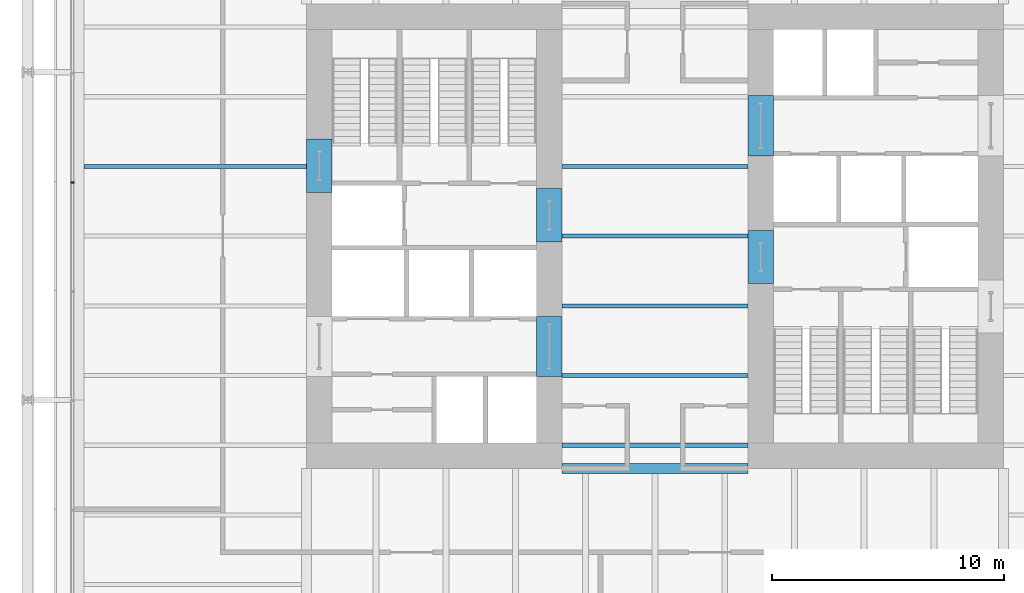
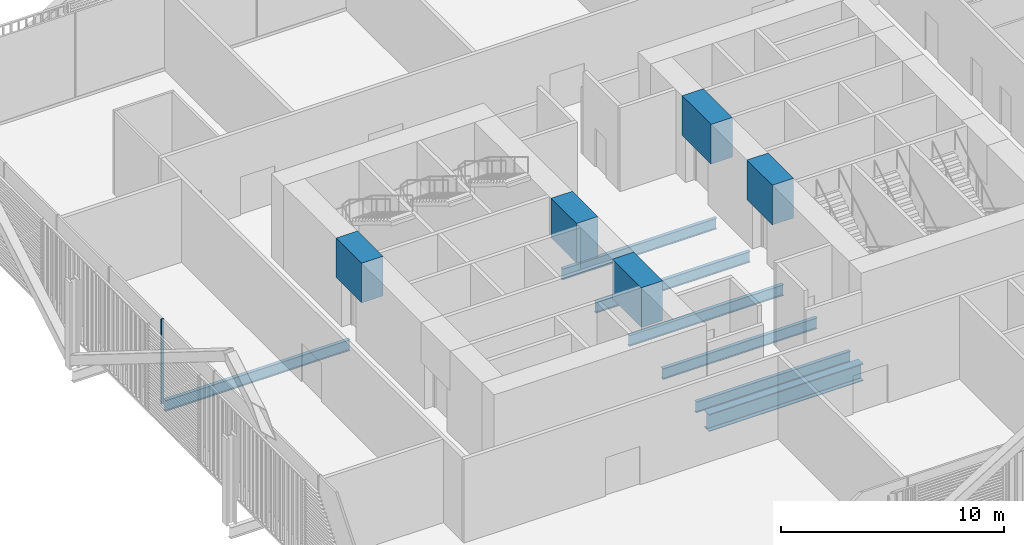
# One storey, part 7 of 22: 12 beams, 1 member, 1 element without a shape of its own.
"""IFC4 building model written with IfcOpenShell, lengths in metres."""

from ifc_helpers import new_model, si_unit, direction, frame, origin, origin_2d, place, context, subcontext, project, spatial, rectangle, i_section, extrude, material, layer, layer_set, material_profile, profile_set, type_object, element, aggregate, save


model = new_model("IFC4")

# Units and contexts
model_context = context("Model", 3, precision=1e-05, world=origin(), true_north=direction((0.0, 1.0)))
body_context = subcontext(model_context, "Body", "Model", "MODEL_VIEW")
ifc_project = project(units=[si_unit("LENGTHUNIT", "METRE"), si_unit("AREAUNIT", "SQUARE_METRE"), si_unit("VOLUMEUNIT", "CUBIC_METRE"), si_unit("PLANEANGLEUNIT", "RADIAN"), si_unit("MASSUNIT", "GRAM", prefix="KILO")], contexts=[model_context])

# Site, building, storey
site_placement = place(None, origin())
site = spatial("IfcSite", under=ifc_project, at=site_placement, CompositionType="ELEMENT")
building_placement = place(site_placement, origin())
building = spatial("IfcBuilding", under=site, at=building_placement, Name="Millrace Tower", CompositionType="ELEMENT")
storey_placement = place(building_placement, frame((0.0, 0.0, 35.300048828125)))
storey = spatial("IfcBuildingStorey", under=building, at=storey_placement, Name="L08", CompositionType="ELEMENT", Elevation=35.300048828125)

# Curtain wall, member
ifc_material_1 = material(Name="Aluminium and glass", Category="aluminium")
ifc_layer = layer(ifc_material_1, 0.14990234375)
ifc_layer_set = layer_set([ifc_layer], Name="Aluminium and glass")
curtain_wall_type = type_object("IfcCurtainWallType", Name="CW-2 data hall insulated curtain wall", PredefinedType="NOTDEFINED", material=ifc_layer_set)
curtain_wall_placement = place(storey_placement, origin())
curtain_wall = element("IfcCurtainWall", 1, at=curtain_wall_placement, inside=storey, type_object=curtain_wall_type, Name="Curtain wall A-F08 L08", PredefinedType="NOTDEFINED")
ifc_material_2 = material(Name="Aluminium", Category="aluminium")
ifc_material_profile_1 = material_profile(ifc_material_2, rectangle(XDim=0.06494140625, YDim=0.14990234375, at=origin_2d()))
ifc_profile_set_1 = profile_set([ifc_material_profile_1], Name="Aluminium")
member_type = type_object("IfcMemberType", Name="CW-2 data hall insulated curtain wall mullion", PredefinedType="MULLION", material=ifc_profile_set_1)
member_placement = place(storey_placement, frame((-25.074951171875, 2.3173828125, 0.159912109375), z_axis=(0.0, 0.0, 1.0), x_axis=(0.0, -1.0, 0.0)))
member = element("IfcMember", 2, at=member_placement, type_object=member_type, Name="CW2 mullion A-F08.5", PredefinedType="MULLION", context=body_context, shape_type="SweptSolid", body=[
    extrude(rectangle(XDim=0.06494140625, YDim=0.14990234375, at=origin_2d()), origin(), (0.0, 0.0, 1.0), 4.64013671875),
])
aggregate(curtain_wall, [member])

# Beams
ifc_material_3 = material(Name="Concrete C80", Category="concrete")
ifc_material_profile_2 = material_profile(ifc_material_3, rectangle(XDim=1.10009765625, YDim=2.175048828125, at=origin_2d()))
ifc_profile_set_2 = profile_set([ifc_material_profile_2], Name="Concrete C80")
beam_type_1 = type_object("IfcBeamType", Name="Coupling beam 1100 x 2175 Concrete C80, 1300 opening", PredefinedType="BEAM", material=ifc_profile_set_2)
beam_1_placement = place(storey_placement, frame((-14.449951171875, 1.88818359375, 3.487548828125), z_axis=(0.0, 1.0, 0.0), x_axis=(-1.0, 0.0, 0.0)))
element("IfcBeam", 3, at=beam_1_placement, inside=storey, type_object=beam_type_1, Name="Coupling beam W L08", PredefinedType="BEAM", context=body_context, shape_type="SweptSolid", body=[
    extrude(rectangle(XDim=1.10009765625, YDim=2.175048828125, at=origin_2d()), origin(), (0.0, 0.0, 1.0), 2.28369140625),
])
for number, where, z_axis, x_axis, name in (
    (4, (-4.550048828125, -0.241943359375, 3.487548828125), (0.0, 1.0, 0.0), (-1.0, 0.0, 0.0), "Coupling beam W L08"),
    (5, (4.550048828125, 0.241943359375, 3.487548828125), (0.0, -1.0, 0.0), (1.0, 0.0, 0.0), "Coupling beam E L08"),
):
    element("IfcBeam", number, at=place(storey_placement, frame(where, z_axis=z_axis, x_axis=x_axis)), inside=storey, type_object=beam_type_1, Name=name, PredefinedType="BEAM", context=body_context, shape_type="SweptSolid", body=[
        extrude(rectangle(XDim=1.10009765625, YDim=2.175048828125, at=origin_2d()), origin(), (0.0, 0.0, 1.0), 2.283935546875),
    ])
ifc_material_4 = material(Name="Concrete C80", Category="concrete")
ifc_material_profile_3 = material_profile(ifc_material_4, rectangle(XDim=1.10009765625, YDim=2.175048828125, at=origin_2d()))
ifc_profile_set_3 = profile_set([ifc_material_profile_3], Name="Concrete C80")
beam_type_2 = type_object("IfcBeamType", Name="Coupling beam 1100 x 2175 Concrete C80, 2000 opening", PredefinedType="BEAM", material=ifc_profile_set_3)
for number, where, z_axis, x_axis, name in (
    (6, (-4.550048828125, -6.050048828125, 3.487548828125), (0.0, 1.0, 0.0), (-1.0, 0.0, 0.0), "Coupling beam W L08"),
    (7, (4.550048828125, 6.050048828125, 3.487548828125), (0.0, -1.0, 0.0), (1.0, 0.0, 0.0), "Coupling beam E L08"),
):
    element("IfcBeam", number, at=place(storey_placement, frame(where, z_axis=z_axis, x_axis=x_axis)), inside=storey, type_object=beam_type_2, Name=name, PredefinedType="BEAM", context=body_context, shape_type="SweptSolid", body=[
        extrude(rectangle(XDim=1.10009765625, YDim=2.175048828125, at=origin_2d()), origin(), (0.0, 0.0, 1.0), 2.60009765625),
    ])
ifc_material_5 = material(Name="Steel ASTM A992 Grade 50", Category="steel")
ifc_material_profile_4 = material_profile(ifc_material_5, i_section(OverallWidth=0.177978515625, OverallDepth=0.599365234375, WebThickness=0.010009765625, FlangeThickness=0.012939453125, FilletRadius=0.012939453125, at=origin_2d()))
ifc_profile_set_4 = profile_set([ifc_material_profile_4], Name="Steel ASTM A992 Grade 50")
beam_type_3 = type_object("IfcBeamType", Name="Floor beam W24x55", PredefinedType="JOIST", material=ifc_profile_set_4)
for number, where, z_axis, x_axis, name in (
    (8, (-4.0, -9.0, -0.524658203125), (1.0, 0.0, 0.0), (0.0, 1.0, 0.0), "BM-A-L08-S1-S011"),
    (9, (-4.0, -6.0, -0.524658203125), (1.0, 0.0, 0.0), (0.0, 1.0, 0.0), "BM-A-L08-S1-S014"),
    (10, (-4.0, -3.0, -0.524658203125), (1.0, 0.0, 0.0), (0.0, 1.0, 0.0), "BM-A-L08-S1-S017"),
    (11, (-4.0, 0.0, -0.524658203125), (1.0, 0.0, 0.0), (0.0, 1.0, 0.0), "BM-A-L08-S1-S020"),
    (12, (-4.0, 3.0, -0.524658203125), (1.0, 0.0, 0.0), (0.0, 1.0, 0.0), "BM-A-L08-S1-S023"),
):
    element("IfcBeam", number, at=place(storey_placement, frame(where, z_axis=z_axis, x_axis=x_axis)), inside=storey, type_object=beam_type_3, Name=name, PredefinedType="JOIST", context=body_context, shape_type="SweptSolid", body=[
        extrude(i_section(OverallWidth=0.177978515625, OverallDepth=0.599365234375, WebThickness=0.010009765625, FlangeThickness=0.012939453125, FilletRadius=0.012939453125, at=origin_2d()), origin(), (0.0, 0.0, 1.0), 8.0),
    ])
ifc_material_6 = material(Name="Steel ASTM A992 Grade 50", Category="steel")
ifc_material_profile_5 = material_profile(ifc_material_6, i_section(OverallWidth=0.1787109375, OverallDepth=0.60205078125, WebThickness=0.010986328125, FlangeThickness=0.014892578125, FilletRadius=0.0126953125, at=origin_2d()))
ifc_profile_set_5 = profile_set([ifc_material_profile_5], Name="Steel ASTM A992 Grade 50")
beam_type_4 = type_object("IfcBeamType", Name="Floor beam W24x62", PredefinedType="JOIST", material=ifc_profile_set_5)
beam_2_placement = place(storey_placement, frame((-24.578369140625, 3.0, -0.526123046875), z_axis=(1.0, 0.0, 0.0), x_axis=(0.0, 1.0, 0.0)))
element("IfcBeam", 13, at=beam_2_placement, inside=storey, type_object=beam_type_4, Name="BM-A-L08-S1-S024", PredefinedType="JOIST", context=body_context, shape_type="SweptSolid", body=[
    extrude(i_section(OverallWidth=0.1787109375, OverallDepth=0.60205078125, WebThickness=0.010986328125, FlangeThickness=0.014892578125, FilletRadius=0.0126953125, at=origin_2d()), origin(), (0.0, 0.0, 1.0), 9.578369140625),
])
ifc_material_7 = material(Name="Steel ASTM A992 Grade 50", Category="steel")
ifc_material_profile_6 = material_profile(ifc_material_7, i_section(OverallWidth=0.424072265625, OverallDepth=0.947509765625, WebThickness=0.02392578125, FlangeThickness=0.042724609375, FilletRadius=0.024169921875, at=origin_2d()))
ifc_profile_set_6 = profile_set([ifc_material_profile_6], Name="Steel ASTM A992 Grade 50")
beam_type_5 = type_object("IfcBeamType", Name="Girder short span W36x302", PredefinedType="BEAM", material=ifc_profile_set_6)
beam_3_placement = place(storey_placement, frame((-4.0, -10.0, -0.69873046875), z_axis=(1.0, 0.0, 0.0), x_axis=(0.0, 1.0, 0.0)))
element("IfcBeam", 14, at=beam_3_placement, inside=storey, type_object=beam_type_5, Name="BM-A-L08-S1-G065", PredefinedType="BEAM", context=body_context, shape_type="SweptSolid", body=[
    extrude(i_section(OverallWidth=0.424072265625, OverallDepth=0.947509765625, WebThickness=0.02392578125, FlangeThickness=0.042724609375, FilletRadius=0.024169921875, at=origin_2d()), origin(), (0.0, 0.0, 1.0), 8.0),
])

save(model, "model.ifc")
